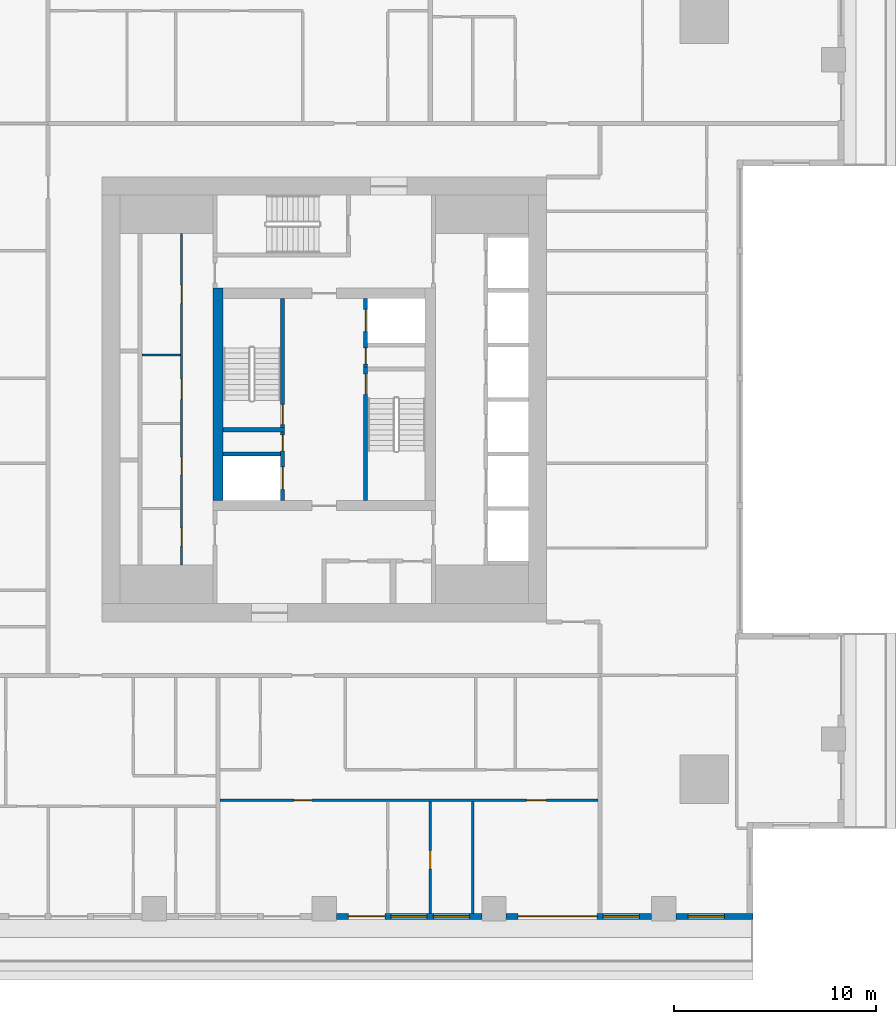
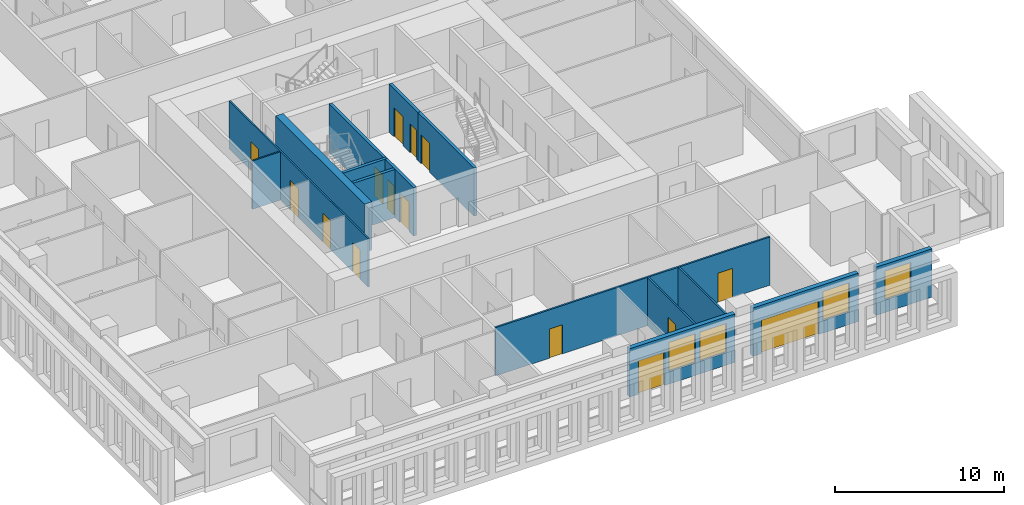
# One storey, part 4 of 15: 15 doors, 15 walls, 4 windows, 19 openings.
"""IFC4 building model written with IfcOpenShell, lengths in metres."""

from ifc_helpers import new_model, si_unit, direction, frame, frame_2d, origin, place, context, subcontext, project, spatial, rectangle, extrude, material, layer, layer_set, type_object, element, fill, save


model = new_model("IFC4")

# Units and contexts
model_context = context("Model", 3, precision=1e-05, world=origin(), true_north=direction((0.0, 1.0)))
body_context = subcontext(model_context, "Body", "Model", "MODEL_VIEW")
ifc_project = project(units=[si_unit("LENGTHUNIT", "METRE"), si_unit("AREAUNIT", "SQUARE_METRE"), si_unit("VOLUMEUNIT", "CUBIC_METRE"), si_unit("PLANEANGLEUNIT", "RADIAN"), si_unit("MASSUNIT", "GRAM", prefix="KILO")], contexts=[model_context])

# Site, building, storey
site_placement = place(None, origin())
site = spatial("IfcSite", under=ifc_project, at=site_placement, CompositionType="ELEMENT")
building_placement = place(site_placement, origin())
building = spatial("IfcBuilding", under=site, at=building_placement, Name="Khepri Terraces", CompositionType="ELEMENT")
storey_placement = place(building_placement, frame((0.0, 0.0, 223.5)))
storey = spatial("IfcBuildingStorey", under=building, at=storey_placement, Name="L53", CompositionType="ELEMENT", Elevation=223.5)

# Wall, opening, door
ifc_material_1 = material(Name="Concrete C50/60", Category="concrete")
ifc_layer_1 = layer(ifc_material_1, 0.199951171875, Name="Concrete C50/60", Category="concrete")
ifc_layer_set_1 = layer_set([ifc_layer_1], Name="Concrete C50/60")
wall_type_1 = type_object("IfcWallType", Name="Core wall 200 C50/60", PredefinedType="SHEAR", material=ifc_layer_set_1)
wall_1_placement = place(storey_placement, frame((2.050048828125, -5.0, 0.0), z_axis=(0.0, 0.0, 1.0), x_axis=(0.0, 1.0, 0.0)))
wall_1 = element("IfcWall", 1, at=wall_1_placement, inside=storey, type_object=wall_type_1, Name="Core wall ST01 L53", PredefinedType="SHEAR", context=body_context, shape_type="SweptSolid", body=[
    extrude(rectangle(XDim=6.60009765625, YDim=0.199951171875, at=frame_2d((3.300048828125, 0.0))), origin(), (0.0, 0.0, 1.0), 3.47998046875),
])
opening_1_placement = place(wall_1_placement, frame((5.25, 0.0, 0.0)))
opening_1 = element("IfcOpeningElement", 2, at=opening_1_placement, cuts=wall_1, Name="Opening L53-C10", PredefinedType="OPENING", context=body_context, shape_type="SweptSolid", body=[
    extrude(rectangle(XDim=1.0, YDim=2.10009765625, at=frame_2d((0.5, 1.050048828125))), frame((0.0, 0.10986328125, 0.0), z_axis=(0.0, -1.0, 0.0), x_axis=(1.0, 0.0, 0.0)), (0.0, 0.0, 1.0), 0.219970703125),
])
ifc_material_2 = material(Name="Painted steel", Category="steel")
door_type_1 = type_object("IfcDoorType", Name="DR-CORE-STAIR-1000", OperationType="NOTDEFINED", PredefinedType="DOOR", material=ifc_material_2)
door_1_placement = place(opening_1_placement, frame((1.0, 0.0, 0.0), z_axis=(0.0, 0.0, 1.0), x_axis=(-1.0, 0.0, 0.0)))
door_1 = element("IfcDoor", 3, at=door_1_placement, inside=storey, type_object=door_type_1, Name="Stair door L53-C10", OperationType="SINGLE_SWING_LEFT", OverallHeight=2.10009765625, OverallWidth=1.0, PredefinedType="DOOR", context=body_context, shape_type="SweptSolid", body=[
    extrude(rectangle(XDim=1.0, YDim=2.10009765625, at=frame_2d((0.5, 1.050048828125))), frame((0.0, 0.02490234375, 0.0), z_axis=(0.0, -1.0, 0.0), x_axis=(1.0, 0.0, 0.0)), (0.0, 0.0, 1.0), 0.050048828125),
])
fill(opening_1, door_1)

# Wall
wall_2_placement = place(storey_placement, frame((-5.0, -1.5, 0.0), z_axis=(0.0, 0.0, 1.0), x_axis=(1.0, 0.0, 0.0)))
element("IfcWall", 4, at=wall_2_placement, inside=storey, type_object=wall_type_1, Name="Core wall ST02 L53", PredefinedType="SHEAR", context=body_context, shape_type="SweptSolid", body=[
    extrude(rectangle(XDim=3.050048828125, YDim=0.199951171875, at=frame_2d((1.52490234375, 0.0))), origin(), (0.0, 0.0, 1.0), 3.47998046875),
])

# Wall, opening, door
wall_3_placement = place(storey_placement, frame((-2.050048828125, -1.39990234375, 0.0), z_axis=(0.0, 0.0, 1.0), x_axis=(0.0, 1.0, 0.0)))
wall_3 = element("IfcWall", 5, at=wall_3_placement, inside=storey, type_object=wall_type_1, Name="Core wall ST03 L53", PredefinedType="SHEAR", context=body_context, shape_type="SweptSolid", body=[
    extrude(rectangle(XDim=6.39990234375, YDim=0.199951171875, at=frame_2d((3.199951171875, 0.0))), origin(), (0.0, 0.0, 1.0), 3.47998046875),
])
opening_2_placement = place(wall_3_placement, frame((0.14990234375, 0.0, 0.0)))
opening_2 = element("IfcOpeningElement", 6, at=opening_2_placement, cuts=wall_3, Name="Opening L53-C09", PredefinedType="OPENING", context=body_context, shape_type="SweptSolid", body=[
    extrude(rectangle(XDim=1.0, YDim=2.10009765625, at=frame_2d((0.5, 1.050048828125))), frame((0.0, 0.10986328125, 0.0), z_axis=(0.0, -1.0, 0.0), x_axis=(1.0, 0.0, 0.0)), (0.0, 0.0, 1.0), 0.219970703125),
])
door_2_placement = place(opening_2_placement, origin())
door_2 = element("IfcDoor", 7, at=door_2_placement, inside=storey, type_object=door_type_1, Name="Stair door L53-C09", OperationType="SINGLE_SWING_LEFT", OverallHeight=2.10009765625, OverallWidth=1.0, PredefinedType="DOOR", context=body_context, shape_type="SweptSolid", body=[
    extrude(rectangle(XDim=1.0, YDim=2.10009765625, at=frame_2d((0.5, 1.050048828125))), frame((0.0, 0.02490234375, 0.0), z_axis=(0.0, -1.0, 0.0), x_axis=(1.0, 0.0, 0.0)), (0.0, 0.0, 1.0), 0.050048828125),
])
fill(opening_2, door_2)

# Wall, openings, doors
wall_4_placement = place(storey_placement, frame((-2.050048828125, -5.0, 0.0), z_axis=(0.0, 0.0, 1.0), x_axis=(0.0, 1.0, 0.0)))
wall_4 = element("IfcWall", 8, at=wall_4_placement, inside=storey, type_object=wall_type_1, Name="Core wall SH05 L53", PredefinedType="SHEAR", context=body_context, shape_type="SweptSolid", body=[
    extrude(rectangle(XDim=3.39990234375, YDim=0.199951171875, at=frame_2d((1.699951171875, 0.0))), origin(), (0.0, 0.0, 1.0), 3.47998046875),
])
opening_3_placement = place(wall_4_placement, frame((0.550048828125, 0.0, 0.0)))
opening_3 = element("IfcOpeningElement", 9, at=opening_3_placement, cuts=wall_4, Name="Opening L53-C08", PredefinedType="OPENING", context=body_context, shape_type="SweptSolid", body=[
    extrude(rectangle(XDim=1.10009765625, YDim=2.10009765625, at=frame_2d((0.550048828125, 1.050048828125))), frame((0.0, 0.10986328125, 0.0), z_axis=(0.0, -1.0, 0.0), x_axis=(1.0, 0.0, 0.0)), (0.0, 0.0, 1.0), 0.219970703125),
])
opening_4_placement = place(wall_4_placement, frame((2.449951171875, 0.0, 0.0)))
opening_4 = element("IfcOpeningElement", 10, at=opening_4_placement, cuts=wall_4, Name="Opening L53-C12", PredefinedType="OPENING", context=body_context, shape_type="SweptSolid", body=[
    extrude(rectangle(XDim=0.800048828125, YDim=2.10009765625, at=frame_2d((0.39990234375, 1.050048828125))), frame((0.0, 0.10986328125, 0.0), z_axis=(0.0, -1.0, 0.0), x_axis=(1.0, 0.0, 0.0)), (0.0, 0.0, 1.0), 0.219970703125),
])
ifc_material_3 = material(Name="Stainless steel 304", Category="steel")
door_type_2 = type_object("IfcDoorType", Name="DR-CORE-FF-LANDING-1100", OperationType="NOTDEFINED", PredefinedType="DOOR", material=ifc_material_3)
door_3_placement = place(opening_3_placement, origin())
door_3 = element("IfcDoor", 11, at=door_3_placement, inside=storey, type_object=door_type_2, Name="Firefighting lift landing door L53-C08", OperationType="SLIDING_TO_LEFT", OverallHeight=2.10009765625, OverallWidth=1.10009765625, PredefinedType="DOOR", context=body_context, shape_type="SweptSolid", body=[
    extrude(rectangle(XDim=1.10009765625, YDim=2.10009765625, at=frame_2d((0.550048828125, 1.050048828125))), frame((0.0, 0.02490234375, 0.0), z_axis=(0.0, -1.0, 0.0), x_axis=(1.0, 0.0, 0.0)), (0.0, 0.0, 1.0), 0.050048828125),
])
fill(opening_3, door_3)
door_type_3 = type_object("IfcDoorType", Name="DR-CORE-RISER-800", OperationType="NOTDEFINED", PredefinedType="DOOR", material=ifc_material_2)
door_4_placement = place(opening_4_placement, origin())
door_4 = element("IfcDoor", 12, at=door_4_placement, inside=storey, type_object=door_type_3, Name="Riser door L53-C12", OperationType="SINGLE_SWING_RIGHT", OverallHeight=2.10009765625, OverallWidth=0.800048828125, PredefinedType="DOOR", context=body_context, shape_type="SweptSolid", body=[
    extrude(rectangle(XDim=0.800048828125, YDim=2.10009765625, at=frame_2d((0.39990234375, 1.050048828125))), frame((0.0, 0.02490234375, 0.0), z_axis=(0.0, -1.0, 0.0), x_axis=(1.0, 0.0, 0.0)), (0.0, 0.0, 1.0), 0.050048828125),
])
fill(opening_4, door_4)

# Wall
wall_5_placement = place(storey_placement, frame((-5.0, -2.699951171875, 0.0), z_axis=(0.0, 0.0, 1.0), x_axis=(1.0, 0.0, 0.0)))
element("IfcWall", 13, at=wall_5_placement, inside=storey, type_object=wall_type_1, Name="Core wall SH07 L53", PredefinedType="SHEAR", context=body_context, shape_type="SweptSolid", body=[
    extrude(rectangle(XDim=2.85009765625, YDim=0.199951171875, at=frame_2d((1.425048828125, 0.0))), origin(), (0.0, 0.0, 1.0), 3.47998046875),
])

# Wall, openings, doors
wall_6_placement = place(storey_placement, frame((2.050048828125, 1.60009765625, 0.0), z_axis=(0.0, 0.0, 1.0), x_axis=(0.0, 1.0, 0.0)))
wall_6 = element("IfcWall", 14, at=wall_6_placement, inside=storey, type_object=wall_type_1, Name="Core wall SH10 L53", PredefinedType="SHEAR", context=body_context, shape_type="SweptSolid", body=[
    extrude(rectangle(XDim=3.39990234375, YDim=0.199951171875, at=frame_2d((1.699951171875, 0.0))), origin(), (0.0, 0.0, 1.0), 3.47998046875),
])
opening_5_placement = place(wall_6_placement, frame((1.75, 0.0, 0.0)))
opening_5 = element("IfcOpeningElement", 15, at=opening_5_placement, cuts=wall_6, Name="Opening L53-C07", PredefinedType="OPENING", context=body_context, shape_type="SweptSolid", body=[
    extrude(rectangle(XDim=1.10009765625, YDim=2.10009765625, at=frame_2d((0.550048828125, 1.050048828125))), frame((0.0, 0.10986328125, 0.0), z_axis=(0.0, -1.0, 0.0), x_axis=(1.0, 0.0, 0.0)), (0.0, 0.0, 1.0), 0.219970703125),
])
opening_6_placement = place(wall_6_placement, frame((0.14990234375, 0.0, 0.0)))
opening_6 = element("IfcOpeningElement", 16, at=opening_6_placement, cuts=wall_6, Name="Opening L53-C11", PredefinedType="OPENING", context=body_context, shape_type="SweptSolid", body=[
    extrude(rectangle(XDim=0.800048828125, YDim=2.10009765625, at=frame_2d((0.39990234375, 1.050048828125))), frame((0.0, 0.10986328125, 0.0), z_axis=(0.0, -1.0, 0.0), x_axis=(1.0, 0.0, 0.0)), (0.0, 0.0, 1.0), 0.219970703125),
])
door_5_placement = place(opening_5_placement, origin())
door_5 = element("IfcDoor", 17, at=door_5_placement, inside=storey, type_object=door_type_2, Name="Firefighting lift landing door L53-C07", OperationType="SLIDING_TO_LEFT", OverallHeight=2.10009765625, OverallWidth=1.10009765625, PredefinedType="DOOR", context=body_context, shape_type="SweptSolid", body=[
    extrude(rectangle(XDim=1.10009765625, YDim=2.10009765625, at=frame_2d((0.550048828125, 1.050048828125))), frame((0.0, 0.02490234375, 0.0), z_axis=(0.0, -1.0, 0.0), x_axis=(1.0, 0.0, 0.0)), (0.0, 0.0, 1.0), 0.050048828125),
])
fill(opening_5, door_5)
door_6_placement = place(opening_6_placement, frame((0.800048828125, 0.0, 0.0), z_axis=(0.0, 0.0, 1.0), x_axis=(-1.0, 0.0, 0.0)))
door_6 = element("IfcDoor", 18, at=door_6_placement, inside=storey, type_object=door_type_3, Name="Riser door L53-C11", OperationType="SINGLE_SWING_RIGHT", OverallHeight=2.10009765625, OverallWidth=0.800048828125, PredefinedType="DOOR", context=body_context, shape_type="SweptSolid", body=[
    extrude(rectangle(XDim=0.800048828125, YDim=2.10009765625, at=frame_2d((0.39990234375, 1.050048828125))), frame((0.0, 0.02490234375, 0.0), z_axis=(0.0, -1.0, 0.0), x_axis=(1.0, 0.0, 0.0)), (0.0, 0.0, 1.0), 0.050048828125),
])
fill(opening_6, door_6)

# Wall
ifc_layer_2 = layer(ifc_material_1, 0.5, Name="Concrete C50/60", Category="concrete")
ifc_layer_set_2 = layer_set([ifc_layer_2], Name="Concrete C50/60")
wall_type_2 = type_object("IfcWallType", Name="Core wall 500 C50/60", PredefinedType="SHEAR", material=ifc_layer_set_2)
wall_7_placement = place(storey_placement, frame((-5.25, -5.0, 0.0), z_axis=(0.0, 0.0, 1.0), x_axis=(0.0, 1.0, 0.0)))
element("IfcWall", 19, at=wall_7_placement, inside=storey, type_object=wall_type_2, Name="Core wall BX02 L53", PredefinedType="SHEAR", context=body_context, shape_type="SweptSolid", body=[
    extrude(rectangle(XDim=10.5, YDim=0.5, at=frame_2d((5.25, 0.0))), origin(), (0.0, 0.0, 1.0), 3.47998046875),
])

# Wall, openings, doors
ifc_material_4 = material(Name="Fire-rated gypsum board partition")
ifc_layer_3 = layer(ifc_material_4, 0.10009765625, Name="Fire-rated gypsum board partition")
ifc_layer_set_3 = layer_set([ifc_layer_3], Name="Fire-rated gypsum board partition")
wall_type_3 = type_object("IfcWallType", Name="WL-CORE-PART-100", PredefinedType="PARTITIONING", material=ifc_layer_set_3)
wall_8_placement = place(storey_placement, frame((-7.050048828125, -8.199951171875, 0.0), z_axis=(0.0, 0.0, 1.0), x_axis=(0.0, 1.0, 0.0)))
wall_8 = element("IfcWall", 20, at=wall_8_placement, inside=storey, type_object=wall_type_3, Name="Core partition PT05 L53", PredefinedType="PARTITIONING", context=body_context, shape_type="SweptSolid", body=[
    extrude(rectangle(XDim=16.39990234375, YDim=0.10009765625, at=frame_2d((8.199951171875, 0.0))), origin(), (0.0, 0.0, 1.0), 3.47998046875),
])
opening_7_placement = place(wall_8_placement, frame((0.949951171875, 0.0, 0.0)))
opening_7 = element("IfcOpeningElement", 21, at=opening_7_placement, cuts=wall_8, Name="Opening L53-C24", PredefinedType="OPENING", context=body_context, shape_type="SweptSolid", body=[
    extrude(rectangle(XDim=0.89990234375, YDim=2.10009765625, at=frame_2d((0.449951171875, 1.050048828125))), frame((0.0, 0.06005859375, 0.0), z_axis=(0.0, -1.0, 0.0), x_axis=(1.0, 0.0, 0.0)), (0.0, 0.0, 1.0), 0.1201171875),
])
opening_8_placement = place(wall_8_placement, frame((4.449951171875, 0.0, 0.0)))
opening_8 = element("IfcOpeningElement", 22, at=opening_8_placement, cuts=wall_8, Name="Opening L53-C25", PredefinedType="OPENING", context=body_context, shape_type="SweptSolid", body=[
    extrude(rectangle(XDim=0.89990234375, YDim=2.10009765625, at=frame_2d((0.449951171875, 1.050048828125))), frame((0.0, 0.06005859375, 0.0), z_axis=(0.0, -1.0, 0.0), x_axis=(1.0, 0.0, 0.0)), (0.0, 0.0, 1.0), 0.1201171875),
])
opening_9_placement = place(wall_8_placement, frame((8.199951171875, 0.0, 0.0)))
opening_9 = element("IfcOpeningElement", 23, at=opening_9_placement, cuts=wall_8, Name="Opening L53-C26", PredefinedType="OPENING", context=body_context, shape_type="SweptSolid", body=[
    extrude(rectangle(XDim=1.0, YDim=2.10009765625, at=frame_2d((0.5, 1.050048828125))), frame((0.0, 0.06005859375, 0.0), z_axis=(0.0, -1.0, 0.0), x_axis=(1.0, 0.0, 0.0)), (0.0, 0.0, 1.0), 0.1201171875),
])
opening_10_placement = place(wall_8_placement, frame((12.949951171875, 0.0, 0.0)))
opening_10 = element("IfcOpeningElement", 24, at=opening_10_placement, cuts=wall_8, Name="Opening L53-C27", PredefinedType="OPENING", context=body_context, shape_type="SweptSolid", body=[
    extrude(rectangle(XDim=0.89990234375, YDim=2.10009765625, at=frame_2d((0.449951171875, 1.050048828125))), frame((0.0, 0.06005859375, 0.0), z_axis=(0.0, -1.0, 0.0), x_axis=(1.0, 0.0, 0.0)), (0.0, 0.0, 1.0), 0.1201171875),
])
door_type_4 = type_object("IfcDoorType", Name="DR-CORE-SERVICE-900", OperationType="NOTDEFINED", PredefinedType="DOOR", material=ifc_material_2)
door_7_placement = place(opening_7_placement, origin())
door_7 = element("IfcDoor", 25, at=door_7_placement, inside=storey, type_object=door_type_4, Name="Service room door L53-C24", OperationType="SINGLE_SWING_LEFT", OverallHeight=2.10009765625, OverallWidth=0.89990234375, PredefinedType="DOOR", context=body_context, shape_type="SweptSolid", body=[
    extrude(rectangle(XDim=0.89990234375, YDim=2.10009765625, at=frame_2d((0.449951171875, 1.050048828125))), frame((0.0, 0.02490234375, 0.0), z_axis=(0.0, -1.0, 0.0), x_axis=(1.0, 0.0, 0.0)), (0.0, 0.0, 1.0), 0.050048828125),
])
fill(opening_7, door_7)
door_8_placement = place(opening_8_placement, origin())
door_8 = element("IfcDoor", 26, at=door_8_placement, inside=storey, type_object=door_type_4, Name="Service room door L53-C25", OperationType="SINGLE_SWING_LEFT", OverallHeight=2.10009765625, OverallWidth=0.89990234375, PredefinedType="DOOR", context=body_context, shape_type="SweptSolid", body=[
    extrude(rectangle(XDim=0.89990234375, YDim=2.10009765625, at=frame_2d((0.449951171875, 1.050048828125))), frame((0.0, 0.02490234375, 0.0), z_axis=(0.0, -1.0, 0.0), x_axis=(1.0, 0.0, 0.0)), (0.0, 0.0, 1.0), 0.050048828125),
])
fill(opening_8, door_8)
door_9_placement = place(opening_10_placement, origin())
door_9 = element("IfcDoor", 27, at=door_9_placement, inside=storey, type_object=door_type_4, Name="Service room door L53-C27", OperationType="SINGLE_SWING_RIGHT", OverallHeight=2.10009765625, OverallWidth=0.89990234375, PredefinedType="DOOR", context=body_context, shape_type="SweptSolid", body=[
    extrude(rectangle(XDim=0.89990234375, YDim=2.10009765625, at=frame_2d((0.449951171875, 1.050048828125))), frame((0.0, 0.02490234375, 0.0), z_axis=(0.0, -1.0, 0.0), x_axis=(1.0, 0.0, 0.0)), (0.0, 0.0, 1.0), 0.050048828125),
])
fill(opening_10, door_9)
ifc_material_5 = material(Name="Timber veneer", Category="wood")
door_type_5 = type_object("IfcDoorType", Name="DR-CORE-WC-1000", OperationType="NOTDEFINED", PredefinedType="DOOR", material=ifc_material_5)
door_10_placement = place(opening_9_placement, origin())
door_10 = element("IfcDoor", 28, at=door_10_placement, inside=storey, type_object=door_type_5, Name="WC door L53-C26", OperationType="SINGLE_SWING_RIGHT", OverallHeight=2.10009765625, OverallWidth=1.0, PredefinedType="DOOR", context=body_context, shape_type="SweptSolid", body=[
    extrude(rectangle(XDim=1.0, YDim=2.10009765625, at=frame_2d((0.5, 1.050048828125))), frame((0.0, 0.02490234375, 0.0), z_axis=(0.0, -1.0, 0.0), x_axis=(1.0, 0.0, 0.0)), (0.0, 0.0, 1.0), 0.050048828125),
])
fill(opening_9, door_10)

# Wall
wall_9_placement = place(storey_placement, frame((-9.0, 2.199951171875, 0.0), z_axis=(0.0, 0.0, 1.0), x_axis=(1.0, 0.0, 0.0)))
element("IfcWall", 29, at=wall_9_placement, inside=storey, type_object=wall_type_3, Name="Core partition PT10 L53", PredefinedType="PARTITIONING", context=body_context, shape_type="SweptSolid", body=[
    extrude(rectangle(XDim=1.89990234375, YDim=0.10009765625, at=frame_2d((0.949951171875, 0.0))), origin(), (0.0, 0.0, 1.0), 3.47998046875),
])

# Wall, openings, door, windows
ifc_material_6 = material(Name="Precast concrete C50/60 warm stone", Category="masonry")
ifc_layer_4 = layer(ifc_material_6, 0.300048828125, Name="Precast concrete C50/60 warm stone", Category="masonry")
ifc_layer_set_4 = layer_set([ifc_layer_4], Name="Precast concrete C50/60 warm stone")
wall_type_4 = type_object("IfcWallType", Name="WL-EXT-PRECAST-300", PredefinedType="STANDARD", material=ifc_layer_set_4)
wall_10_placement = place(storey_placement, frame((0.60009765625, -25.570068359375, 0.0), z_axis=(0.0, 0.0, 1.0), x_axis=(1.0, 0.0, 0.0)))
wall_10 = element("IfcWall", 30, at=wall_10_placement, inside=storey, type_object=wall_type_4, Name="External wall L53 S", PredefinedType="STANDARD", context=body_context, shape_type="SweptSolid", body=[
    extrude(rectangle(XDim=7.199951171875, YDim=0.300048828125, at=frame_2d((3.60009765625, 0.0))), origin(), (0.0, 0.0, 1.0), 3.47998046875),
])
opening_11_placement = place(wall_10_placement, frame((0.60009765625, 0.0, 0.0)))
opening_11 = element("IfcOpeningElement", 31, at=opening_11_placement, cuts=wall_10, Name="Opening ED-L53-18", PredefinedType="OPENING", context=body_context, shape_type="SweptSolid", body=[
    extrude(rectangle(XDim=1.800048828125, YDim=2.39990234375, at=frame_2d((0.89990234375, 1.199951171875))), frame((0.0, 0.16015625, 0.0), z_axis=(0.0, -1.0, 0.0), x_axis=(1.0, 0.0, 0.0)), (0.0, 0.0, 1.0), 0.320068359375),
])
opening_12_placement = place(wall_10_placement, frame((2.699951171875, 0.0, 0.89990234375)))
opening_12 = element("IfcOpeningElement", 32, at=opening_12_placement, cuts=wall_10, Name="Opening W1", PredefinedType="OPENING", context=body_context, shape_type="SweptSolid", body=[
    extrude(rectangle(XDim=1.800048828125, YDim=2.10009765625, at=frame_2d((0.89990234375, 1.050048828125))), frame((0.0, 0.16015625, 0.0), z_axis=(0.0, -1.0, 0.0), x_axis=(1.0, 0.0, 0.0)), (0.0, 0.0, 1.0), 0.320068359375),
])
opening_13_placement = place(wall_10_placement, frame((4.800048828125, 0.0, 0.89990234375)))
opening_13 = element("IfcOpeningElement", 33, at=opening_13_placement, cuts=wall_10, Name="Opening W1", PredefinedType="OPENING", context=body_context, shape_type="SweptSolid", body=[
    extrude(rectangle(XDim=1.800048828125, YDim=2.10009765625, at=frame_2d((0.89990234375, 1.050048828125))), frame((0.0, 0.16015625, 0.0), z_axis=(0.0, -1.0, 0.0), x_axis=(1.0, 0.0, 0.0)), (0.0, 0.0, 1.0), 0.320068359375),
])
ifc_material_7 = material(Name="Anodised aluminium bronze glazed door", Category="aluminium")
door_type_6 = type_object("IfcDoorType", Name="DR-BAL-SLIDE-1800x2400", OperationType="NOTDEFINED", PredefinedType="DOOR", material=ifc_material_7)
door_11_placement = place(opening_11_placement, origin())
door_11 = element("IfcDoor", 34, at=door_11_placement, inside=storey, type_object=door_type_6, Name="Balcony door L53 S", OperationType="SLIDING_TO_LEFT", OverallHeight=2.39990234375, OverallWidth=1.800048828125, PredefinedType="DOOR", context=body_context, shape_type="SweptSolid", body=[
    extrude(rectangle(XDim=1.800048828125, YDim=2.39990234375, at=frame_2d((0.89990234375, 1.199951171875))), frame((0.0, 0.02490234375, 0.0), z_axis=(0.0, -1.0, 0.0), x_axis=(1.0, 0.0, 0.0)), (0.0, 0.0, 1.0), 0.050048828125),
])
fill(opening_11, door_11)
ifc_material_8 = material(Name="Clear glass", Category="glass")
window_type = type_object("IfcWindowType", Name="WIN-RES-1800x2100", PartitioningType="SINGLE_PANEL", PredefinedType="WINDOW", material=ifc_material_8)
window_1_placement = place(opening_12_placement, origin())
window_1 = element("IfcWindow", 35, at=window_1_placement, inside=storey, type_object=window_type, Name="Window L53 S", OverallHeight=2.10009765625, OverallWidth=1.800048828125, PartitioningType="SINGLE_PANEL", PredefinedType="WINDOW", context=body_context, shape_type="SweptSolid", body=[
    extrude(rectangle(XDim=1.800048828125, YDim=2.10009765625, at=frame_2d((0.89990234375, 1.050048828125))), frame((0.0, 0.030029296875, 0.0), z_axis=(0.0, -1.0, 0.0), x_axis=(1.0, 0.0, 0.0)), (0.0, 0.0, 1.0), 0.06005859375),
])
fill(opening_12, window_1)
window_2_placement = place(opening_13_placement, origin())
window_2 = element("IfcWindow", 36, at=window_2_placement, inside=storey, type_object=window_type, Name="Window L53 S", OverallHeight=2.10009765625, OverallWidth=1.800048828125, PartitioningType="SINGLE_PANEL", PredefinedType="WINDOW", context=body_context, shape_type="SweptSolid", body=[
    extrude(rectangle(XDim=1.800048828125, YDim=2.10009765625, at=frame_2d((0.89990234375, 1.050048828125))), frame((0.0, 0.030029296875, 0.0), z_axis=(0.0, -1.0, 0.0), x_axis=(1.0, 0.0, 0.0)), (0.0, 0.0, 1.0), 0.06005859375),
])
fill(opening_13, window_2)

# Wall, openings, door, window
wall_11_placement = place(storey_placement, frame((9.0, -25.570068359375, 0.0), z_axis=(0.0, 0.0, 1.0), x_axis=(1.0, 0.0, 0.0)))
wall_11 = element("IfcWall", 37, at=wall_11_placement, inside=storey, type_object=wall_type_4, Name="External wall L53 S", PredefinedType="STANDARD", context=body_context, shape_type="SweptSolid", body=[
    extrude(rectangle(XDim=7.199951171875, YDim=0.300048828125, at=frame_2d((3.60009765625, 0.0))), origin(), (0.0, 0.0, 1.0), 3.47998046875),
])
opening_14_placement = place(wall_11_placement, frame((0.60009765625, 0.0, 0.0)))
opening_14 = element("IfcOpeningElement", 38, at=opening_14_placement, cuts=wall_11, Name="Opening ED-L53-19", PredefinedType="OPENING", context=body_context, shape_type="SweptSolid", body=[
    extrude(rectangle(XDim=3.89990234375, YDim=2.39990234375, at=frame_2d((1.949951171875, 1.199951171875))), frame((0.0, 0.16015625, 0.0), z_axis=(0.0, -1.0, 0.0), x_axis=(1.0, 0.0, 0.0)), (0.0, 0.0, 1.0), 0.320068359375),
])
opening_15_placement = place(wall_11_placement, frame((4.800048828125, 0.0, 0.89990234375)))
opening_15 = element("IfcOpeningElement", 39, at=opening_15_placement, cuts=wall_11, Name="Opening W1", PredefinedType="OPENING", context=body_context, shape_type="SweptSolid", body=[
    extrude(rectangle(XDim=1.800048828125, YDim=2.10009765625, at=frame_2d((0.89990234375, 1.050048828125))), frame((0.0, 0.16015625, 0.0), z_axis=(0.0, -1.0, 0.0), x_axis=(1.0, 0.0, 0.0)), (0.0, 0.0, 1.0), 0.320068359375),
])
door_type_7 = type_object("IfcDoorType", Name="DR-BAL-SLIDE-3900x2400", OperationType="NOTDEFINED", PredefinedType="DOOR", material=ifc_material_7)
door_12_placement = place(opening_14_placement, origin())
door_12 = element("IfcDoor", 40, at=door_12_placement, inside=storey, type_object=door_type_7, Name="Balcony door L53 S", OperationType="SLIDING_TO_LEFT", OverallHeight=2.39990234375, OverallWidth=3.89990234375, PredefinedType="DOOR", context=body_context, shape_type="SweptSolid", body=[
    extrude(rectangle(XDim=3.89990234375, YDim=2.39990234375, at=frame_2d((1.949951171875, 1.199951171875))), frame((0.0, 0.02490234375, 0.0), z_axis=(0.0, -1.0, 0.0), x_axis=(1.0, 0.0, 0.0)), (0.0, 0.0, 1.0), 0.050048828125),
])
fill(opening_14, door_12)
window_3_placement = place(opening_15_placement, origin())
window_3 = element("IfcWindow", 41, at=window_3_placement, inside=storey, type_object=window_type, Name="Window L53 S", OverallHeight=2.10009765625, OverallWidth=1.800048828125, PartitioningType="SINGLE_PANEL", PredefinedType="WINDOW", context=body_context, shape_type="SweptSolid", body=[
    extrude(rectangle(XDim=1.800048828125, YDim=2.10009765625, at=frame_2d((0.89990234375, 1.050048828125))), frame((0.0, 0.030029296875, 0.0), z_axis=(0.0, -1.0, 0.0), x_axis=(1.0, 0.0, 0.0)), (0.0, 0.0, 1.0), 0.06005859375),
])
fill(opening_15, window_3)

# Wall, opening, window
wall_12_placement = place(storey_placement, frame((17.39990234375, -25.570068359375, 0.0), z_axis=(0.0, 0.0, 1.0), x_axis=(1.0, 0.0, 0.0)))
wall_12 = element("IfcWall", 42, at=wall_12_placement, inside=storey, type_object=wall_type_4, Name="External wall L53 S", PredefinedType="STANDARD", context=body_context, shape_type="SweptSolid", body=[
    extrude(rectangle(XDim=3.820068359375, YDim=0.300048828125, at=frame_2d((1.91015625, 0.0))), origin(), (0.0, 0.0, 1.0), 3.47998046875),
])
opening_16_placement = place(wall_12_placement, frame((0.60009765625, 0.0, 0.89990234375)))
opening_16 = element("IfcOpeningElement", 43, at=opening_16_placement, cuts=wall_12, Name="Opening W1", PredefinedType="OPENING", context=body_context, shape_type="SweptSolid", body=[
    extrude(rectangle(XDim=1.800048828125, YDim=2.10009765625, at=frame_2d((0.89990234375, 1.050048828125))), frame((0.0, 0.16015625, 0.0), z_axis=(0.0, -1.0, 0.0), x_axis=(1.0, 0.0, 0.0)), (0.0, 0.0, 1.0), 0.320068359375),
])
window_4_placement = place(opening_16_placement, origin())
window_4 = element("IfcWindow", 44, at=window_4_placement, inside=storey, type_object=window_type, Name="Window L53 S", OverallHeight=2.10009765625, OverallWidth=1.800048828125, PartitioningType="SINGLE_PANEL", PredefinedType="WINDOW", context=body_context, shape_type="SweptSolid", body=[
    extrude(rectangle(XDim=1.800048828125, YDim=2.10009765625, at=frame_2d((0.89990234375, 1.050048828125))), frame((0.0, 0.030029296875, 0.0), z_axis=(0.0, -1.0, 0.0), x_axis=(1.0, 0.0, 0.0)), (0.0, 0.0, 1.0), 0.06005859375),
])
fill(opening_16, window_4)

# Wall, opening, door
ifc_material_9 = material(Name="Gypsum plasterboard partition")
ifc_layer_5 = layer(ifc_material_9, 0.1201171875, Name="Gypsum plasterboard partition")
ifc_layer_set_5 = layer_set([ifc_layer_5], Name="Gypsum plasterboard partition")
wall_type_5 = type_object("IfcWallType", Name="WL-PART-120", PredefinedType="PARTITIONING", material=ifc_layer_set_5)
wall_13_placement = place(storey_placement, frame((5.25, -25.419921875, 0.0), z_axis=(0.0, 0.0, 1.0), x_axis=(0.0, 1.0, 0.0)))
wall_13 = element("IfcWall", 45, at=wall_13_placement, inside=storey, type_object=wall_type_5, Name="Partition P-006 L53", PredefinedType="PARTITIONING", context=body_context, shape_type="SweptSolid", body=[
    extrude(rectangle(XDim=5.5400390625, YDim=0.1201171875, at=frame_2d((2.77001953125, 0.0))), origin(), (0.0, 0.0, 1.0), 3.47998046875),
])
opening_17_placement = place(wall_13_placement, frame((2.199951171875, 0.0, 0.0)))
opening_17 = element("IfcOpeningElement", 46, at=opening_17_placement, cuts=wall_13, Name="Opening D4", PredefinedType="OPENING", context=body_context, shape_type="SweptSolid", body=[
    extrude(rectangle(XDim=0.89990234375, YDim=2.10009765625, at=frame_2d((0.449951171875, 1.050048828125))), frame((0.0, 0.070068359375, 0.0), z_axis=(0.0, -1.0, 0.0), x_axis=(1.0, 0.0, 0.0)), (0.0, 0.0, 1.0), 0.14013671875),
])
ifc_material_10 = material(Name="Timber door leaf, moisture resistant", Category="wood")
door_type_8 = type_object("IfcDoorType", Name="DR-WET-900", OperationType="NOTDEFINED", PredefinedType="DOOR", material=ifc_material_10)
door_13_placement = place(opening_17_placement, frame((0.89990234375, 0.0, 0.0), z_axis=(0.0, 0.0, 1.0), x_axis=(-1.0, 0.0, 0.0)))
door_13 = element("IfcDoor", 47, at=door_13_placement, inside=storey, type_object=door_type_8, Name="Door Bathroom", OperationType="SINGLE_SWING_RIGHT", OverallHeight=2.10009765625, OverallWidth=0.89990234375, PredefinedType="DOOR", context=body_context, shape_type="SweptSolid", body=[
    extrude(rectangle(XDim=0.89990234375, YDim=2.10009765625, at=frame_2d((0.449951171875, 1.050048828125))), frame((0.0, 0.02490234375, 0.0), z_axis=(0.0, -1.0, 0.0), x_axis=(1.0, 0.0, 0.0)), (0.0, 0.0, 1.0), 0.050048828125),
])
fill(opening_17, door_13)

# Wall
wall_14_placement = place(storey_placement, frame((7.35009765625, -25.419921875, 0.0), z_axis=(0.0, 0.0, 1.0), x_axis=(0.0, 1.0, 0.0)))
element("IfcWall", 48, at=wall_14_placement, inside=storey, type_object=wall_type_5, Name="Partition P-007 L53", PredefinedType="PARTITIONING", context=body_context, shape_type="SweptSolid", body=[
    extrude(rectangle(XDim=5.5400390625, YDim=0.1201171875, at=frame_2d((2.77001953125, 0.0))), origin(), (0.0, 0.0, 1.0), 3.47998046875),
])

# Wall, openings, doors
wall_15_placement = place(storey_placement, frame((-5.14990234375, -19.820068359375, 0.0), z_axis=(0.0, 0.0, 1.0), x_axis=(1.0, 0.0, 0.0)))
wall_15 = element("IfcWall", 49, at=wall_15_placement, inside=storey, type_object=wall_type_5, Name="Partition P-013 L53", PredefinedType="PARTITIONING", context=body_context, shape_type="SweptSolid", body=[
    extrude(rectangle(XDim=18.699951171875, YDim=0.1201171875, at=frame_2d((9.35009765625, 0.0))), origin(), (0.0, 0.0, 1.0), 3.47998046875),
])
opening_18_placement = place(wall_15_placement, frame((3.64990234375, 0.0, 0.0)))
opening_18 = element("IfcOpeningElement", 50, at=opening_18_placement, cuts=wall_15, Name="Opening D3", PredefinedType="OPENING", context=body_context, shape_type="SweptSolid", body=[
    extrude(rectangle(XDim=0.89990234375, YDim=2.10009765625, at=frame_2d((0.449951171875, 1.050048828125))), frame((0.0, 0.070068359375, 0.0), z_axis=(0.0, -1.0, 0.0), x_axis=(1.0, 0.0, 0.0)), (0.0, 0.0, 1.0), 0.14013671875),
])
opening_19_placement = place(wall_15_placement, frame((15.14990234375, 0.0, 0.0)))
opening_19 = element("IfcOpeningElement", 51, at=opening_19_placement, cuts=wall_15, Name="Opening D2", PredefinedType="OPENING", context=body_context, shape_type="SweptSolid", body=[
    extrude(rectangle(XDim=1.0, YDim=2.10009765625, at=frame_2d((0.5, 1.050048828125))), frame((0.0, 0.070068359375, 0.0), z_axis=(0.0, -1.0, 0.0), x_axis=(1.0, 0.0, 0.0)), (0.0, 0.0, 1.0), 0.14013671875),
])
ifc_material_11 = material(Name="Timber door leaf, living room door", Category="wood")
door_type_9 = type_object("IfcDoorType", Name="DR-INT-1000", OperationType="NOTDEFINED", PredefinedType="DOOR", material=ifc_material_11)
door_14_placement = place(opening_19_placement, frame((1.0, 0.0, 0.0), z_axis=(0.0, 0.0, 1.0), x_axis=(-1.0, 0.0, 0.0)))
door_14 = element("IfcDoor", 52, at=door_14_placement, inside=storey, type_object=door_type_9, Name="Door Living Room", OperationType="SINGLE_SWING_LEFT", OverallHeight=2.10009765625, OverallWidth=1.0, PredefinedType="DOOR", context=body_context, shape_type="SweptSolid", body=[
    extrude(rectangle(XDim=1.0, YDim=2.10009765625, at=frame_2d((0.5, 1.050048828125))), frame((0.0, 0.02490234375, 0.0), z_axis=(0.0, -1.0, 0.0), x_axis=(1.0, 0.0, 0.0)), (0.0, 0.0, 1.0), 0.050048828125),
])
fill(opening_19, door_14)
ifc_material_12 = material(Name="Timber door leaf", Category="wood")
door_type_10 = type_object("IfcDoorType", Name="DR-INT-900", OperationType="NOTDEFINED", PredefinedType="DOOR", material=ifc_material_12)
door_15_placement = place(opening_18_placement, frame((0.89990234375, 0.0, 0.0), z_axis=(0.0, 0.0, 1.0), x_axis=(-1.0, 0.0, 0.0)))
door_15 = element("IfcDoor", 53, at=door_15_placement, inside=storey, type_object=door_type_10, Name="Door Master Bedroom", OperationType="SINGLE_SWING_RIGHT", OverallHeight=2.10009765625, OverallWidth=0.89990234375, PredefinedType="DOOR", context=body_context, shape_type="SweptSolid", body=[
    extrude(rectangle(XDim=0.89990234375, YDim=2.10009765625, at=frame_2d((0.449951171875, 1.050048828125))), frame((0.0, 0.02490234375, 0.0), z_axis=(0.0, -1.0, 0.0), x_axis=(1.0, 0.0, 0.0)), (0.0, 0.0, 1.0), 0.050048828125),
])
fill(opening_18, door_15)

save(model, "model.ifc")
